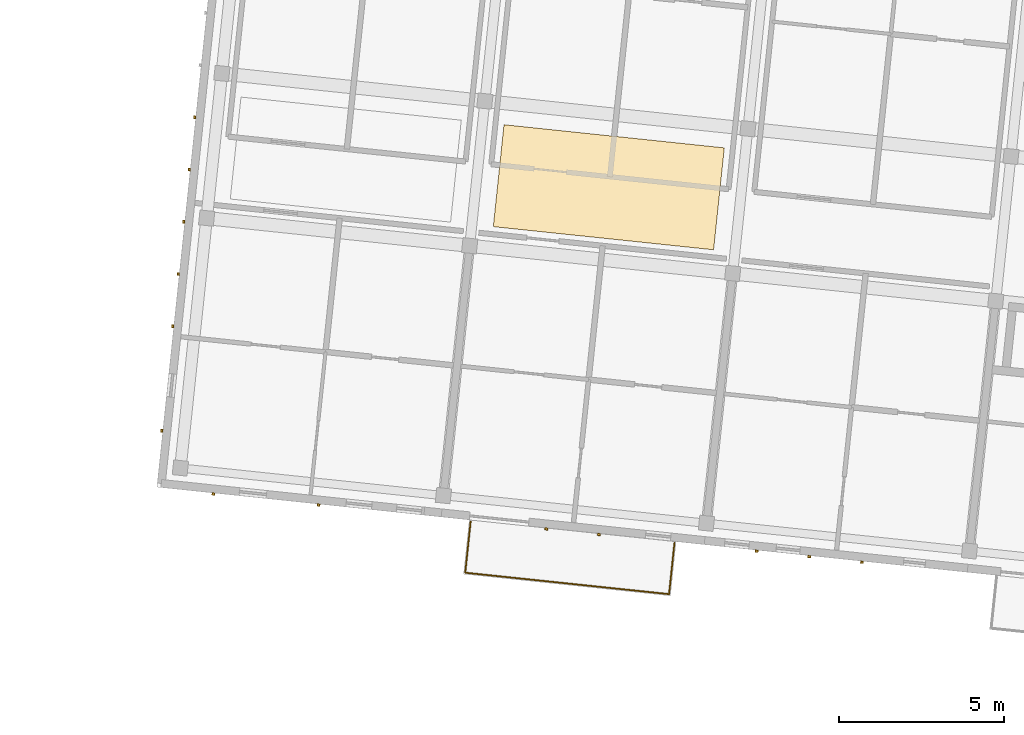
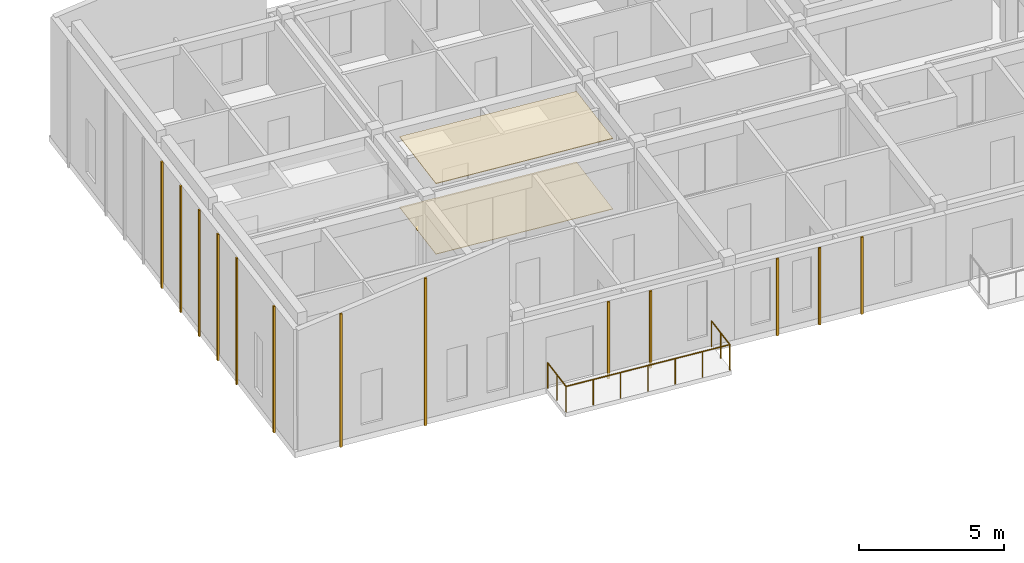
# One storey, part 39 of 45: 15 coverings, 1 railing.
"""IFC4 building model written with IfcOpenShell, lengths in metres."""

from ifc_helpers import new_model, si_unit, direction, frame, origin, origin_2d, place, context, subcontext, project, spatial, polyline, rectangle, circle, outline, extrude, material, layer, layer_set, type_object, element, save


model = new_model("IFC4")

# Units and contexts
model_context = context("Model", 3, precision=1e-05, world=origin(), true_north=direction((0.0, 1.0)))
body_context = subcontext(model_context, "Body", "Model", "MODEL_VIEW")
ifc_project = project(units=[si_unit("LENGTHUNIT", "METRE"), si_unit("AREAUNIT", "SQUARE_METRE"), si_unit("VOLUMEUNIT", "CUBIC_METRE"), si_unit("PLANEANGLEUNIT", "RADIAN"), si_unit("MASSUNIT", "GRAM", prefix="KILO")], contexts=[model_context])

# Site, building, storey
site_placement = place(None, origin())
site = spatial("IfcSite", under=ifc_project, at=site_placement, CompositionType="ELEMENT")
building_placement = place(site_placement, origin())
building = spatial("IfcBuilding", under=site, at=building_placement, Name="Kestramere Prow Commons", CompositionType="ELEMENT")
storey_placement = place(building_placement, frame((0.0, 0.0, 31.14990234375)))
storey = spatial("IfcBuildingStorey", under=building, at=storey_placement, Name="L09", CompositionType="ELEMENT", Elevation=31.14990234375)

# Coverings
ifc_material_1 = material(Name="Mineral Fibre Acoustic Ceiling Tile")
ifc_layer_1 = layer(ifc_material_1, 0.02490234375)
ifc_layer_set_1 = layer_set([ifc_layer_1], Name="Mineral Fibre Acoustic Ceiling Tile")
covering_type_1 = type_object("IfcCoveringType", Name="COV-CEIL-ACOUSTIC", PredefinedType="CEILING", material=ifc_layer_set_1)
covering_1_placement = place(storey_placement, frame((0.0, 0.0, 2.97509765625)))
element("IfcCovering", 1, at=covering_1_placement, inside=storey, type_object=covering_type_1, Name="Block B L09 Corridor Acoustic Ceiling 2", PredefinedType="CEILING", context=body_context, shape_type="SweptSolid", body=[
    extrude(outline(polyline([(119.465087890625, 102.1005859375), (126.128173828125, 101.400390625), (126.452392578125, 104.4833984375), (119.7890625, 105.18359375), (119.465087890625, 102.1005859375)])), origin(), (0.0, 0.0, 1.0), 0.02490234375),
])
ifc_material_2 = material(Name="Weathered Zinc-Titanium Standing-Seam Cladding")
ifc_layer_2 = layer(ifc_material_2, 0.074951171875)
ifc_layer_set_2 = layer_set([ifc_layer_2], Name="Weathered Zinc-Titanium Standing-Seam Cladding")
covering_type_2 = type_object("IfcCoveringType", Name="COV-CLAD-SEAM", PredefinedType="CLADDING", material=ifc_layer_set_2)
covering_2_placement = place(storey_placement, frame((114.1806640625, 93.679443359375, -0.25), z_axis=(0.0, 0.0, 1.0), x_axis=(-0.994521895368, 0.104528463268, 0.0)))
element("IfcCovering", 2, at=covering_2_placement, inside=storey, type_object=covering_type_2, Name="EW-B-L09-S-0 Standing-Seam Rib 2", PredefinedType="CLADDING", context=body_context, shape_type="SweptSolid", body=[
    extrude(rectangle(XDim=0.0849609375, YDim=0.06494140625, at=origin_2d()), origin(), (0.0, 0.0, 1.0), 6.22509765625),
])
covering_3_placement = place(storey_placement, frame((110.998291015625, 94.013916015625, -0.25), z_axis=(0.0, 0.0, 1.0), x_axis=(-0.994521895368, 0.104528463268, 0.0)))
element("IfcCovering", 3, at=covering_3_placement, inside=storey, type_object=covering_type_2, Name="EW-B-L09-S-0 Standing-Seam Rib 4", PredefinedType="CLADDING", context=body_context, shape_type="SweptSolid", body=[
    extrude(rectangle(XDim=0.0849609375, YDim=0.06494140625, at=origin_2d()), origin(), (0.0, 0.0, 1.0), 5.63134765625),
])
for number, where, z_axis, x_axis, name in (
    (4, (122.6591796875, 92.788330078125, -0.25), (0.0, 0.0, 1.0), (-0.994521895368, 0.104528463268, 0.0), "EW-B-L09-S-1 Standing-Seam Rib 2"),
    (5, (121.06787109375, 92.95556640625, -0.25), (0.0, 0.0, 1.0), (-0.994521895368, 0.104528463268, 0.0), "EW-B-L09-S-1 Standing-Seam Rib 3"),
    (6, (130.615234375, 91.951904296875, -0.25), (0.0, 0.0, 1.0), (-0.994521895368, 0.104528463268, 0.0), "EW-B-L09-S-2 Standing-Seam Rib 2"),
    (7, (129.02392578125, 92.119384765625, -0.25), (0.0, 0.0, 1.0), (-0.994521895368, 0.104528463268, 0.0), "EW-B-L09-S-2 Standing-Seam Rib 3"),
    (8, (127.432861328125, 92.28662109375, -0.25), (0.0, 0.0, 1.0), (-0.994521895368, 0.104528463268, 0.0), "EW-B-L09-S-2 Standing-Seam Rib 4"),
):
    element("IfcCovering", number, at=place(storey_placement, frame(where, z_axis=z_axis, x_axis=x_axis)), inside=storey, type_object=covering_type_2, Name=name, PredefinedType="CLADDING", context=body_context, shape_type="SweptSolid", body=[
        extrude(rectangle(XDim=0.0849609375, YDim=0.06494140625, at=origin_2d()), origin(), (0.0, 0.0, 1.0), 3.25),
    ])
for number, where, z_axis, x_axis, name in (
    (9, (109.437255859375, 95.928466796875, -0.25), (0.0, 0.0, 1.0), (0.104528463268, 0.994521895368, 0.0), "EW-B-L09-EAV Standing-Seam Rib 1"),
    (10, (109.76953125, 99.087890625, -0.25), (0.0, 0.0, 1.0), (0.104528463268, 0.994521895368, 0.0), "EW-B-L09-EAV Standing-Seam Rib 3"),
    (11, (109.935546875, 100.667724609375, -0.25), (0.0, 0.0, 1.0), (0.104528463268, 0.994521895368, 0.0), "EW-B-L09-EAV Standing-Seam Rib 4"),
    (12, (110.1015625, 102.24755859375, -0.25), (0.0, 0.0, 1.0), (0.104528463268, 0.994521895368, 0.0), "EW-B-L09-EAV Standing-Seam Rib 5"),
    (13, (110.267578125, 103.8271484375, -0.25), (0.0, 0.0, 1.0), (0.104528463268, 0.994521895368, 0.0), "EW-B-L09-EAV Standing-Seam Rib 6"),
    (14, (110.43359375, 105.406982421875, -0.25), (0.0, 0.0, 1.0), (0.104528463268, 0.994521895368, 0.0), "EW-B-L09-EAV Standing-Seam Rib 7"),
):
    element("IfcCovering", number, at=place(storey_placement, frame(where, z_axis=z_axis, x_axis=x_axis)), inside=storey, type_object=covering_type_2, Name=name, PredefinedType="CLADDING", context=body_context, shape_type="SweptSolid", body=[
        extrude(rectangle(XDim=0.0849609375, YDim=0.06494140625, at=origin_2d()), origin(), (0.0, 0.0, 1.0), 5.33447265625),
    ])
ifc_material_3 = material(Name="Honed Cementitious Terrazzo Tile")
ifc_layer_3 = layer(ifc_material_3, 0.02001953125)
ifc_layer_set_3 = layer_set([ifc_layer_3], Name="Honed Cementitious Terrazzo Tile")
covering_type_3 = type_object("IfcCoveringType", Name="COV-FLOOR-TERRAZZO", PredefinedType="FLOORING", material=ifc_layer_set_3)
covering_4_placement = place(storey_placement, origin())
element("IfcCovering", 15, at=covering_4_placement, inside=storey, type_object=covering_type_3, Name="Block B L09 Corridor Terrazzo Flooring 2", PredefinedType="FLOORING", context=body_context, shape_type="SweptSolid", body=[
    extrude(outline(polyline([(119.465087890625, 102.1005859375), (126.128173828125, 101.400390625), (126.452392578125, 104.4833984375), (119.7890625, 105.18359375), (119.465087890625, 102.1005859375)])), origin(), (0.0, 0.0, 1.0), 0.02001953125),
])

# Railing
ifc_material_4 = material(Name="Powder-Coated Aluminium 6063-T6", Category="aluminium")
railing_type = type_object("IfcRailingType", Name="GRD-BALC-1100", PredefinedType="BALUSTRADE", material=ifc_material_4)
railing_placement = place(storey_placement, frame((118.779052734375, 93.18359375, 0.0)))
element("IfcRailing", 16, at=railing_placement, inside=storey, type_object=railing_type, Name="Block B L09 Balcony Guardrail 2", PredefinedType="BALUSTRADE", context=body_context, shape_type="SweptSolid", body=[
    extrude(circle(Radius=0.02392578125, at=origin_2d()), frame((0.0, 0.0, 1.076171875), z_axis=(-0.104538150424, -0.994520877159, 0.0), x_axis=(0.994520877159, -0.104538150424, 0.0)), (0.0, 0.0, 1.0), 1.56005859375),
    extrude(circle(Radius=0.02392578125, at=origin_2d()), frame((-0.1630859375, -1.551513671875, 1.076171875), z_axis=(0.994519899862, -0.104547447503, 0.0), x_axis=(0.104547447503, 0.994519899862, 0.0)), (0.0, 0.0, 1.0), 6.199951171875),
    extrude(circle(Radius=0.02392578125, at=origin_2d()), frame((6.0029296875, -2.19970703125, 1.076171875), z_axis=(0.104538150424, 0.994520877159, 0.0), x_axis=(-0.994520877159, 0.104538150424, 0.0)), (0.0, 0.0, 1.0), 1.56005859375),
    extrude(circle(Radius=0.02099609375, at=origin_2d()), origin(), (0.0, 0.0, 1.0), 1.052001953125),
    extrude(circle(Radius=0.02099609375, at=origin_2d()), frame((-0.08154296875, -0.77587890625, 0.0)), (0.0, 0.0, 1.0), 1.052001953125),
    extrude(circle(Radius=0.02099609375, at=origin_2d()), frame((-0.1630859375, -1.551513671875, 0.0)), (0.0, 0.0, 1.0), 1.052001953125),
    extrude(circle(Radius=0.02099609375, at=origin_2d()), frame((0.864501953125, -1.65966796875, 0.0)), (0.0, 0.0, 1.0), 1.052001953125),
    extrude(circle(Radius=0.02099609375, at=origin_2d()), frame((1.892333984375, -1.767578125, 0.0)), (0.0, 0.0, 1.0), 1.052001953125),
    extrude(circle(Radius=0.02099609375, at=origin_2d()), frame((2.919921875, -1.87548828125, 0.0)), (0.0, 0.0, 1.0), 1.052001953125),
    extrude(circle(Radius=0.02099609375, at=origin_2d()), frame((3.947509765625, -1.983642578125, 0.0)), (0.0, 0.0, 1.0), 1.052001953125),
    extrude(circle(Radius=0.02099609375, at=origin_2d()), frame((4.975341796875, -2.091796875, 0.0)), (0.0, 0.0, 1.0), 1.052001953125),
    extrude(circle(Radius=0.02099609375, at=origin_2d()), frame((6.0029296875, -2.19970703125, 0.0)), (0.0, 0.0, 1.0), 1.052001953125),
    extrude(circle(Radius=0.02099609375, at=origin_2d()), frame((6.08447265625, -1.423828125, 0.0)), (0.0, 0.0, 1.0), 1.052001953125),
    extrude(circle(Radius=0.02099609375, at=origin_2d()), frame((6.166015625, -0.648193359375, 0.0)), (0.0, 0.0, 1.0), 1.052001953125),
])

save(model, "model.ifc")
